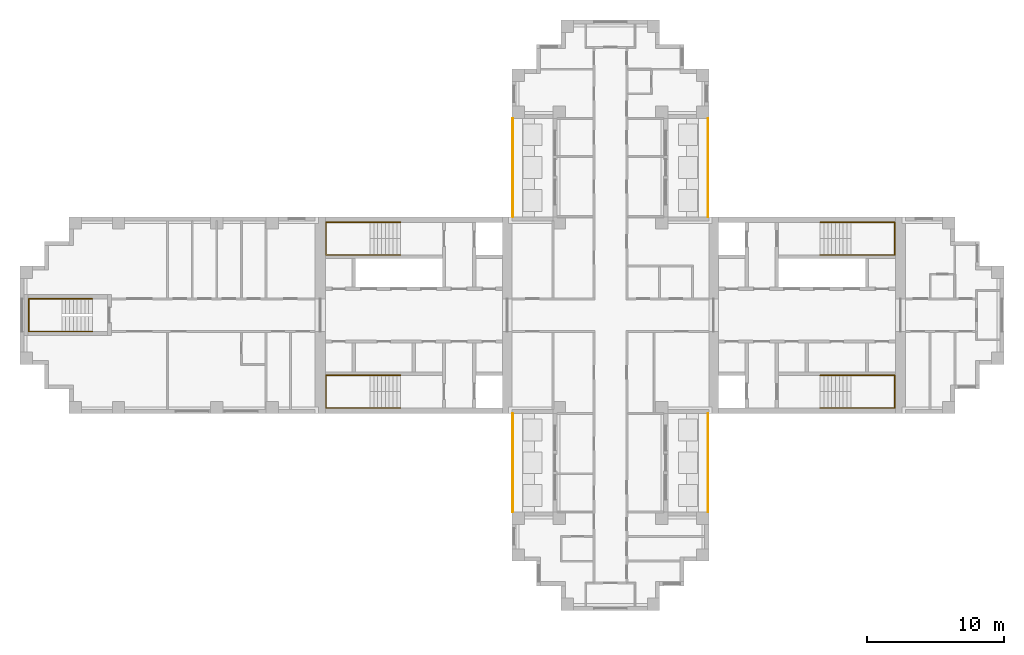
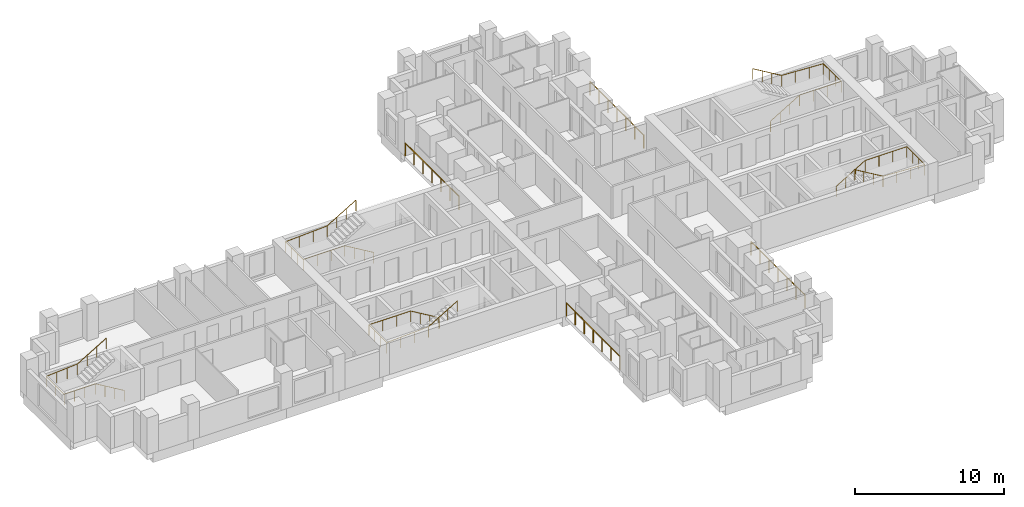
# One storey, part 9 of 10: 9 railings.
"""IFC4 building model written with IfcOpenShell, lengths in metres."""

from ifc_helpers import new_model, si_unit, direction, frame, origin, origin_2d, place, context, subcontext, project, spatial, circle, extrude, material, type_object, element, save


model = new_model("IFC4")

# Units and contexts
model_context = context("Model", 3, precision=1e-05, world=origin(), true_north=direction((0.0, 1.0)))
body_context = subcontext(model_context, "Body", "Model", "MODEL_VIEW")
ifc_project = project(units=[si_unit("LENGTHUNIT", "METRE"), si_unit("AREAUNIT", "SQUARE_METRE"), si_unit("VOLUMEUNIT", "CUBIC_METRE"), si_unit("PLANEANGLEUNIT", "RADIAN"), si_unit("MASSUNIT", "GRAM", prefix="KILO")], contexts=[model_context])

# Site, building, storey
site_placement = place(None, origin())
site = spatial("IfcSite", under=ifc_project, at=site_placement, CompositionType="ELEMENT")
building_placement = place(site_placement, origin())
building = spatial("IfcBuilding", under=site, at=building_placement, Name="Fustian Cross Tower", CompositionType="ELEMENT")
storey_placement = place(building_placement, frame((0.0, 0.0, 185.699951171875)))
storey = spatial("IfcBuildingStorey", under=building, at=storey_placement, Name="L58", CompositionType="ELEMENT", Elevation=185.699951171875)

# Railings
ifc_material_1 = material(Name="Stainless steel and glass", Category="steel")
railing_type_1 = type_object("IfcRailingType", Name="GR1 BALCONY GUARD 1100", PredefinedType="GUARDRAIL", material=ifc_material_1)
for number, where, name in (
    (1, (7.14990234375, 7.199951171875, 0.0), "Balcony guard"),
    (2, (-7.14990234375, 7.199951171875, 0.0), "Balcony guard"),
    (3, (7.14990234375, -14.39990234375, 0.0), "Balcony guard"),
    (4, (-7.14990234375, -14.39990234375, 0.0), "Balcony guard"),
):
    element("IfcRailing", number, at=place(storey_placement, frame(where)), inside=storey, type_object=railing_type_1, Name=name, PredefinedType="GUARDRAIL", context=body_context, shape_type="SweptSolid", body=[
        extrude(circle(Radius=0.02392578125, at=origin_2d()), frame((0.0, 0.0, 1.076171875), z_axis=(0.0, 1.0, 0.0), x_axis=(-1.0, 0.0, 0.0)), (0.0, 0.0, 1.0), 7.199951171875),
        extrude(circle(Radius=0.02099609375, at=origin_2d()), origin(), (0.0, 0.0, 1.0), 1.052001953125),
        extrude(circle(Radius=0.02099609375, at=origin_2d()), frame((0.0, 1.199951171875, 0.0)), (0.0, 0.0, 1.0), 1.052001953125),
        extrude(circle(Radius=0.02099609375, at=origin_2d()), frame((0.0, 2.39990234375, 0.0)), (0.0, 0.0, 1.0), 1.052001953125),
        extrude(circle(Radius=0.02099609375, at=origin_2d()), frame((0.0, 3.60009765625, 0.0)), (0.0, 0.0, 1.0), 1.052001953125),
        extrude(circle(Radius=0.02099609375, at=origin_2d()), frame((0.0, 4.800048828125, 0.0)), (0.0, 0.0, 1.0), 1.052001953125),
        extrude(circle(Radius=0.02099609375, at=origin_2d()), frame((0.0, 6.0, 0.0)), (0.0, 0.0, 1.0), 1.052001953125),
        extrude(circle(Radius=0.02099609375, at=origin_2d()), frame((0.0, 7.199951171875, 0.0)), (0.0, 0.0, 1.0), 1.052001953125),
    ])
ifc_material_2 = material(Name="Stainless steel", Category="steel")
railing_type_2 = type_object("IfcRailingType", Name="STAIR HANDRAIL", PredefinedType="HANDRAIL", material=ifc_material_2)
railing_1_placement = place(storey_placement, frame((15.35009765625, 4.39990234375, 0.166748046875)))
element("IfcRailing", 5, at=railing_1_placement, inside=storey, type_object=railing_type_2, Name="Stair ST1 handrail 1", PredefinedType="HANDRAIL", context=body_context, shape_type="SweptSolid", body=[
    extrude(circle(Radius=0.02490234375, at=origin_2d()), frame((0.0, 0.0, 0.875), z_axis=(0.859305625298, 0.0, 0.511462454469), x_axis=(0.0, 1.0, 0.0)), (0.0, 0.0, 1.0), 2.606689453125),
    extrude(circle(Radius=0.02490234375, at=origin_2d()), frame((2.239990234375, 0.0, 2.2080078125), z_axis=(1.0, 0.0, 0.0), x_axis=(0.0, 1.0, 0.0)), (0.0, 0.0, 1.0), 3.219970703125),
    extrude(circle(Radius=0.02490234375, at=origin_2d()), frame((5.4599609375, 0.0, 2.2080078125), z_axis=(0.0, 1.0, 0.0), x_axis=(-1.0, 0.0, 0.0)), (0.0, 0.0, 1.0), 2.400146484375),
    extrude(circle(Radius=0.02490234375, at=origin_2d()), frame((5.4599609375, 2.400146484375, 2.2080078125), z_axis=(-0.998661817807, 0.0, 0.051716280352), x_axis=(0.0, -1.0, 0.0)), (0.0, 0.0, 1.0), 3.224365234375),
    extrude(circle(Radius=0.02490234375, at=origin_2d()), frame((2.239990234375, 2.400146484375, 2.375), z_axis=(-0.859305625298, 0.0, 0.511462454469), x_axis=(0.0, -1.0, 0.0)), (0.0, 0.0, 1.0), 2.606689453125),
    extrude(circle(Radius=0.02001953125, at=origin_2d()), origin(), (0.0, 0.0, 1.0), 0.849853515625),
    extrude(circle(Radius=0.02001953125, at=origin_2d()), frame((0.74658203125, 0.0, 0.4443359375)), (0.0, 0.0, 1.0), 0.849853515625),
    extrude(circle(Radius=0.02001953125, at=origin_2d()), frame((1.493408203125, 0.0, 0.888916015625)), (0.0, 0.0, 1.0), 0.849853515625),
    extrude(circle(Radius=0.02001953125, at=origin_2d()), frame((2.239990234375, 0.0, 1.333251953125)), (0.0, 0.0, 1.0), 0.849853515625),
    extrude(circle(Radius=0.02001953125, at=origin_2d()), frame((3.313232421875, 0.0, 1.333251953125)), (0.0, 0.0, 1.0), 0.849853515625),
    extrude(circle(Radius=0.02001953125, at=origin_2d()), frame((4.38671875, 0.0, 1.333251953125)), (0.0, 0.0, 1.0), 0.849853515625),
    extrude(circle(Radius=0.02001953125, at=origin_2d()), frame((5.4599609375, 0.0, 1.333251953125)), (0.0, 0.0, 1.0), 0.849853515625),
    extrude(circle(Radius=0.02001953125, at=origin_2d()), frame((5.4599609375, 0.800048828125, 1.333251953125)), (0.0, 0.0, 1.0), 0.849853515625),
    extrude(circle(Radius=0.02001953125, at=origin_2d()), frame((5.4599609375, 1.60009765625, 1.333251953125)), (0.0, 0.0, 1.0), 0.849853515625),
    extrude(circle(Radius=0.02001953125, at=origin_2d()), frame((5.4599609375, 2.400146484375, 1.333251953125)), (0.0, 0.0, 1.0), 0.849853515625),
    extrude(circle(Radius=0.02001953125, at=origin_2d()), frame((4.38671875, 2.400146484375, 1.388916015625)), (0.0, 0.0, 1.0), 0.849853515625),
    extrude(circle(Radius=0.02001953125, at=origin_2d()), frame((3.313232421875, 2.400146484375, 1.4443359375)), (0.0, 0.0, 1.0), 0.849853515625),
    extrude(circle(Radius=0.02001953125, at=origin_2d()), frame((2.239990234375, 2.400146484375, 1.5)), (0.0, 0.0, 1.0), 0.849853515625),
    extrude(circle(Radius=0.02001953125, at=origin_2d()), frame((1.493408203125, 2.400146484375, 1.9443359375)), (0.0, 0.0, 1.0), 0.849853515625),
    extrude(circle(Radius=0.02001953125, at=origin_2d()), frame((0.74658203125, 2.400146484375, 2.388916015625)), (0.0, 0.0, 1.0), 0.849853515625),
    extrude(circle(Radius=0.02001953125, at=origin_2d()), frame((0.0, 2.400146484375, 2.833251953125)), (0.0, 0.0, 1.0), 0.849853515625),
])
railing_2_placement = place(storey_placement, frame((15.35009765625, -4.39990234375, 0.166748046875)))
element("IfcRailing", 6, at=railing_2_placement, inside=storey, type_object=railing_type_2, Name="Stair ST2 handrail 1", PredefinedType="HANDRAIL", context=body_context, shape_type="SweptSolid", body=[
    extrude(circle(Radius=0.02490234375, at=origin_2d()), frame((0.0, 0.0, 0.875), z_axis=(0.859305625298, 0.0, 0.511462454469), x_axis=(0.0, 1.0, 0.0)), (0.0, 0.0, 1.0), 2.606689453125),
    extrude(circle(Radius=0.02490234375, at=origin_2d()), frame((2.239990234375, 0.0, 2.2080078125), z_axis=(1.0, 0.0, 0.0), x_axis=(0.0, 1.0, 0.0)), (0.0, 0.0, 1.0), 3.219970703125),
    extrude(circle(Radius=0.02490234375, at=origin_2d()), frame((5.4599609375, 0.0, 2.2080078125), z_axis=(0.0, -1.0, 0.0), x_axis=(1.0, 0.0, 0.0)), (0.0, 0.0, 1.0), 2.400146484375),
    extrude(circle(Radius=0.02490234375, at=origin_2d()), frame((5.4599609375, -2.400146484375, 2.2080078125), z_axis=(-0.998661817807, 0.0, 0.051716280352), x_axis=(0.0, -1.0, 0.0)), (0.0, 0.0, 1.0), 3.224365234375),
    extrude(circle(Radius=0.02490234375, at=origin_2d()), frame((2.239990234375, -2.400146484375, 2.375), z_axis=(-0.859305625298, 0.0, 0.511462454469), x_axis=(0.0, -1.0, 0.0)), (0.0, 0.0, 1.0), 2.606689453125),
    extrude(circle(Radius=0.02001953125, at=origin_2d()), origin(), (0.0, 0.0, 1.0), 0.849853515625),
    extrude(circle(Radius=0.02001953125, at=origin_2d()), frame((0.74658203125, 0.0, 0.4443359375)), (0.0, 0.0, 1.0), 0.849853515625),
    extrude(circle(Radius=0.02001953125, at=origin_2d()), frame((1.493408203125, 0.0, 0.888916015625)), (0.0, 0.0, 1.0), 0.849853515625),
    extrude(circle(Radius=0.02001953125, at=origin_2d()), frame((2.239990234375, 0.0, 1.333251953125)), (0.0, 0.0, 1.0), 0.849853515625),
    extrude(circle(Radius=0.02001953125, at=origin_2d()), frame((3.313232421875, 0.0, 1.333251953125)), (0.0, 0.0, 1.0), 0.849853515625),
    extrude(circle(Radius=0.02001953125, at=origin_2d()), frame((4.38671875, 0.0, 1.333251953125)), (0.0, 0.0, 1.0), 0.849853515625),
    extrude(circle(Radius=0.02001953125, at=origin_2d()), frame((5.4599609375, 0.0, 1.333251953125)), (0.0, 0.0, 1.0), 0.849853515625),
    extrude(circle(Radius=0.02001953125, at=origin_2d()), frame((5.4599609375, -0.800048828125, 1.333251953125)), (0.0, 0.0, 1.0), 0.849853515625),
    extrude(circle(Radius=0.02001953125, at=origin_2d()), frame((5.4599609375, -1.60009765625, 1.333251953125)), (0.0, 0.0, 1.0), 0.849853515625),
    extrude(circle(Radius=0.02001953125, at=origin_2d()), frame((5.4599609375, -2.400146484375, 1.333251953125)), (0.0, 0.0, 1.0), 0.849853515625),
    extrude(circle(Radius=0.02001953125, at=origin_2d()), frame((4.38671875, -2.400146484375, 1.388916015625)), (0.0, 0.0, 1.0), 0.849853515625),
    extrude(circle(Radius=0.02001953125, at=origin_2d()), frame((3.313232421875, -2.400146484375, 1.4443359375)), (0.0, 0.0, 1.0), 0.849853515625),
    extrude(circle(Radius=0.02001953125, at=origin_2d()), frame((2.239990234375, -2.400146484375, 1.5)), (0.0, 0.0, 1.0), 0.849853515625),
    extrude(circle(Radius=0.02001953125, at=origin_2d()), frame((1.493408203125, -2.400146484375, 1.9443359375)), (0.0, 0.0, 1.0), 0.849853515625),
    extrude(circle(Radius=0.02001953125, at=origin_2d()), frame((0.74658203125, -2.400146484375, 2.388916015625)), (0.0, 0.0, 1.0), 0.849853515625),
    extrude(circle(Radius=0.02001953125, at=origin_2d()), frame((0.0, -2.400146484375, 2.833251953125)), (0.0, 0.0, 1.0), 0.849853515625),
])
railing_3_placement = place(storey_placement, frame((-15.35009765625, 4.39990234375, 0.166748046875)))
element("IfcRailing", 7, at=railing_3_placement, inside=storey, type_object=railing_type_2, Name="Stair ST3 handrail 1", PredefinedType="HANDRAIL", context=body_context, shape_type="SweptSolid", body=[
    extrude(circle(Radius=0.02490234375, at=origin_2d()), frame((0.0, 0.0, 0.875), z_axis=(-0.859305625298, 0.0, 0.511462454469), x_axis=(0.0, -1.0, 0.0)), (0.0, 0.0, 1.0), 2.606689453125),
    extrude(circle(Radius=0.02490234375, at=origin_2d()), frame((-2.239990234375, 0.0, 2.2080078125), z_axis=(-1.0, 0.0, 0.0), x_axis=(0.0, -1.0, 0.0)), (0.0, 0.0, 1.0), 3.219970703125),
    extrude(circle(Radius=0.02490234375, at=origin_2d()), frame((-5.4599609375, 0.0, 2.2080078125), z_axis=(0.0, 1.0, 0.0), x_axis=(-1.0, 0.0, 0.0)), (0.0, 0.0, 1.0), 2.400146484375),
    extrude(circle(Radius=0.02490234375, at=origin_2d()), frame((-5.4599609375, 2.400146484375, 2.2080078125), z_axis=(0.998661817807, 0.0, 0.051716280352), x_axis=(0.0, 1.0, 0.0)), (0.0, 0.0, 1.0), 3.224365234375),
    extrude(circle(Radius=0.02490234375, at=origin_2d()), frame((-2.239990234375, 2.400146484375, 2.375), z_axis=(0.859305625298, 0.0, 0.511462454469), x_axis=(0.0, 1.0, 0.0)), (0.0, 0.0, 1.0), 2.606689453125),
    extrude(circle(Radius=0.02001953125, at=origin_2d()), origin(), (0.0, 0.0, 1.0), 0.849853515625),
    extrude(circle(Radius=0.02001953125, at=origin_2d()), frame((-0.74658203125, 0.0, 0.4443359375)), (0.0, 0.0, 1.0), 0.849853515625),
    extrude(circle(Radius=0.02001953125, at=origin_2d()), frame((-1.493408203125, 0.0, 0.888916015625)), (0.0, 0.0, 1.0), 0.849853515625),
    extrude(circle(Radius=0.02001953125, at=origin_2d()), frame((-2.239990234375, 0.0, 1.333251953125)), (0.0, 0.0, 1.0), 0.849853515625),
    extrude(circle(Radius=0.02001953125, at=origin_2d()), frame((-3.313232421875, 0.0, 1.333251953125)), (0.0, 0.0, 1.0), 0.849853515625),
    extrude(circle(Radius=0.02001953125, at=origin_2d()), frame((-4.38671875, 0.0, 1.333251953125)), (0.0, 0.0, 1.0), 0.849853515625),
    extrude(circle(Radius=0.02001953125, at=origin_2d()), frame((-5.4599609375, 0.0, 1.333251953125)), (0.0, 0.0, 1.0), 0.849853515625),
    extrude(circle(Radius=0.02001953125, at=origin_2d()), frame((-5.4599609375, 0.800048828125, 1.333251953125)), (0.0, 0.0, 1.0), 0.849853515625),
    extrude(circle(Radius=0.02001953125, at=origin_2d()), frame((-5.4599609375, 1.60009765625, 1.333251953125)), (0.0, 0.0, 1.0), 0.849853515625),
    extrude(circle(Radius=0.02001953125, at=origin_2d()), frame((-5.4599609375, 2.400146484375, 1.333251953125)), (0.0, 0.0, 1.0), 0.849853515625),
    extrude(circle(Radius=0.02001953125, at=origin_2d()), frame((-4.38671875, 2.400146484375, 1.388916015625)), (0.0, 0.0, 1.0), 0.849853515625),
    extrude(circle(Radius=0.02001953125, at=origin_2d()), frame((-3.313232421875, 2.400146484375, 1.4443359375)), (0.0, 0.0, 1.0), 0.849853515625),
    extrude(circle(Radius=0.02001953125, at=origin_2d()), frame((-2.239990234375, 2.400146484375, 1.5)), (0.0, 0.0, 1.0), 0.849853515625),
    extrude(circle(Radius=0.02001953125, at=origin_2d()), frame((-1.493408203125, 2.400146484375, 1.9443359375)), (0.0, 0.0, 1.0), 0.849853515625),
    extrude(circle(Radius=0.02001953125, at=origin_2d()), frame((-0.74658203125, 2.400146484375, 2.388916015625)), (0.0, 0.0, 1.0), 0.849853515625),
    extrude(circle(Radius=0.02001953125, at=origin_2d()), frame((0.0, 2.400146484375, 2.833251953125)), (0.0, 0.0, 1.0), 0.849853515625),
])
railing_4_placement = place(storey_placement, frame((-15.35009765625, -4.39990234375, 0.166748046875)))
element("IfcRailing", 8, at=railing_4_placement, inside=storey, type_object=railing_type_2, Name="Stair ST4 handrail 1", PredefinedType="HANDRAIL", context=body_context, shape_type="SweptSolid", body=[
    extrude(circle(Radius=0.02490234375, at=origin_2d()), frame((0.0, 0.0, 0.875), z_axis=(-0.859305625298, 0.0, 0.511462454469), x_axis=(0.0, -1.0, 0.0)), (0.0, 0.0, 1.0), 2.606689453125),
    extrude(circle(Radius=0.02490234375, at=origin_2d()), frame((-2.239990234375, 0.0, 2.2080078125), z_axis=(-1.0, 0.0, 0.0), x_axis=(0.0, -1.0, 0.0)), (0.0, 0.0, 1.0), 3.219970703125),
    extrude(circle(Radius=0.02490234375, at=origin_2d()), frame((-5.4599609375, 0.0, 2.2080078125), z_axis=(0.0, -1.0, 0.0), x_axis=(1.0, 0.0, 0.0)), (0.0, 0.0, 1.0), 2.400146484375),
    extrude(circle(Radius=0.02490234375, at=origin_2d()), frame((-5.4599609375, -2.400146484375, 2.2080078125), z_axis=(0.998661817807, 0.0, 0.051716280352), x_axis=(0.0, 1.0, 0.0)), (0.0, 0.0, 1.0), 3.224365234375),
    extrude(circle(Radius=0.02490234375, at=origin_2d()), frame((-2.239990234375, -2.400146484375, 2.375), z_axis=(0.859305625298, 0.0, 0.511462454469), x_axis=(0.0, 1.0, 0.0)), (0.0, 0.0, 1.0), 2.606689453125),
    extrude(circle(Radius=0.02001953125, at=origin_2d()), origin(), (0.0, 0.0, 1.0), 0.849853515625),
    extrude(circle(Radius=0.02001953125, at=origin_2d()), frame((-0.74658203125, 0.0, 0.4443359375)), (0.0, 0.0, 1.0), 0.849853515625),
    extrude(circle(Radius=0.02001953125, at=origin_2d()), frame((-1.493408203125, 0.0, 0.888916015625)), (0.0, 0.0, 1.0), 0.849853515625),
    extrude(circle(Radius=0.02001953125, at=origin_2d()), frame((-2.239990234375, 0.0, 1.333251953125)), (0.0, 0.0, 1.0), 0.849853515625),
    extrude(circle(Radius=0.02001953125, at=origin_2d()), frame((-3.313232421875, 0.0, 1.333251953125)), (0.0, 0.0, 1.0), 0.849853515625),
    extrude(circle(Radius=0.02001953125, at=origin_2d()), frame((-4.38671875, 0.0, 1.333251953125)), (0.0, 0.0, 1.0), 0.849853515625),
    extrude(circle(Radius=0.02001953125, at=origin_2d()), frame((-5.4599609375, 0.0, 1.333251953125)), (0.0, 0.0, 1.0), 0.849853515625),
    extrude(circle(Radius=0.02001953125, at=origin_2d()), frame((-5.4599609375, -0.800048828125, 1.333251953125)), (0.0, 0.0, 1.0), 0.849853515625),
    extrude(circle(Radius=0.02001953125, at=origin_2d()), frame((-5.4599609375, -1.60009765625, 1.333251953125)), (0.0, 0.0, 1.0), 0.849853515625),
    extrude(circle(Radius=0.02001953125, at=origin_2d()), frame((-5.4599609375, -2.400146484375, 1.333251953125)), (0.0, 0.0, 1.0), 0.849853515625),
    extrude(circle(Radius=0.02001953125, at=origin_2d()), frame((-4.38671875, -2.400146484375, 1.388916015625)), (0.0, 0.0, 1.0), 0.849853515625),
    extrude(circle(Radius=0.02001953125, at=origin_2d()), frame((-3.313232421875, -2.400146484375, 1.4443359375)), (0.0, 0.0, 1.0), 0.849853515625),
    extrude(circle(Radius=0.02001953125, at=origin_2d()), frame((-2.239990234375, -2.400146484375, 1.5)), (0.0, 0.0, 1.0), 0.849853515625),
    extrude(circle(Radius=0.02001953125, at=origin_2d()), frame((-1.493408203125, -2.400146484375, 1.9443359375)), (0.0, 0.0, 1.0), 0.849853515625),
    extrude(circle(Radius=0.02001953125, at=origin_2d()), frame((-0.74658203125, -2.400146484375, 2.388916015625)), (0.0, 0.0, 1.0), 0.849853515625),
    extrude(circle(Radius=0.02001953125, at=origin_2d()), frame((0.0, -2.400146484375, 2.833251953125)), (0.0, 0.0, 1.0), 0.849853515625),
])
railing_5_placement = place(storey_placement, frame((-37.89990234375, -1.199951171875, 0.166748046875)))
element("IfcRailing", 9, at=railing_5_placement, inside=storey, type_object=railing_type_2, Name="Stair ST9 handrail 1", PredefinedType="HANDRAIL", context=body_context, shape_type="SweptSolid", body=[
    extrude(circle(Radius=0.02490234375, at=origin_2d()), frame((0.0, 0.0, 0.875), z_axis=(-0.859305625298, 0.0, 0.511462454469), x_axis=(0.0, -1.0, 0.0)), (0.0, 0.0, 1.0), 2.606689453125),
    extrude(circle(Radius=0.02490234375, at=origin_2d()), frame((-2.239990234375, 0.0, 2.2080078125), z_axis=(-1.0, 0.0, 0.0), x_axis=(0.0, -1.0, 0.0)), (0.0, 0.0, 1.0), 2.420166015625),
    extrude(circle(Radius=0.02490234375, at=origin_2d()), frame((-4.66015625, 0.0, 2.2080078125), z_axis=(0.0, 1.0, 0.0), x_axis=(-1.0, 0.0, 0.0)), (0.0, 0.0, 1.0), 2.39990234375),
    extrude(circle(Radius=0.02490234375, at=origin_2d()), frame((-4.66015625, 2.39990234375, 2.2080078125), z_axis=(0.997634852044, 0.0, 0.068736467663), x_axis=(0.0, 1.0, 0.0)), (0.0, 0.0, 1.0), 2.426025390625),
    extrude(circle(Radius=0.02490234375, at=origin_2d()), frame((-2.239990234375, 2.39990234375, 2.375), z_axis=(0.859305625298, 0.0, 0.511462454469), x_axis=(0.0, 1.0, 0.0)), (0.0, 0.0, 1.0), 2.606689453125),
    extrude(circle(Radius=0.02001953125, at=origin_2d()), origin(), (0.0, 0.0, 1.0), 0.849853515625),
    extrude(circle(Radius=0.02001953125, at=origin_2d()), frame((-0.74658203125, 0.0, 0.4443359375)), (0.0, 0.0, 1.0), 0.849853515625),
    extrude(circle(Radius=0.02001953125, at=origin_2d()), frame((-1.493408203125, 0.0, 0.888916015625)), (0.0, 0.0, 1.0), 0.849853515625),
    extrude(circle(Radius=0.02001953125, at=origin_2d()), frame((-2.239990234375, 0.0, 1.333251953125)), (0.0, 0.0, 1.0), 0.849853515625),
    extrude(circle(Radius=0.02001953125, at=origin_2d()), frame((-3.046630859375, 0.0, 1.333251953125)), (0.0, 0.0, 1.0), 0.849853515625),
    extrude(circle(Radius=0.02001953125, at=origin_2d()), frame((-3.853515625, 0.0, 1.333251953125)), (0.0, 0.0, 1.0), 0.849853515625),
    extrude(circle(Radius=0.02001953125, at=origin_2d()), frame((-4.66015625, 0.0, 1.333251953125)), (0.0, 0.0, 1.0), 0.849853515625),
    extrude(circle(Radius=0.02001953125, at=origin_2d()), frame((-4.66015625, 1.199951171875, 1.333251953125)), (0.0, 0.0, 1.0), 0.849853515625),
    extrude(circle(Radius=0.02001953125, at=origin_2d()), frame((-4.66015625, 2.39990234375, 1.333251953125)), (0.0, 0.0, 1.0), 0.849853515625),
    extrude(circle(Radius=0.02001953125, at=origin_2d()), frame((-3.853515625, 2.39990234375, 1.388916015625)), (0.0, 0.0, 1.0), 0.849853515625),
    extrude(circle(Radius=0.02001953125, at=origin_2d()), frame((-3.046630859375, 2.39990234375, 1.4443359375)), (0.0, 0.0, 1.0), 0.849853515625),
    extrude(circle(Radius=0.02001953125, at=origin_2d()), frame((-2.239990234375, 2.39990234375, 1.5)), (0.0, 0.0, 1.0), 0.849853515625),
    extrude(circle(Radius=0.02001953125, at=origin_2d()), frame((-1.493408203125, 2.39990234375, 1.9443359375)), (0.0, 0.0, 1.0), 0.849853515625),
    extrude(circle(Radius=0.02001953125, at=origin_2d()), frame((-0.74658203125, 2.39990234375, 2.388916015625)), (0.0, 0.0, 1.0), 0.849853515625),
    extrude(circle(Radius=0.02001953125, at=origin_2d()), frame((0.0, 2.39990234375, 2.833251953125)), (0.0, 0.0, 1.0), 0.849853515625),
])

save(model, "model.ifc")
